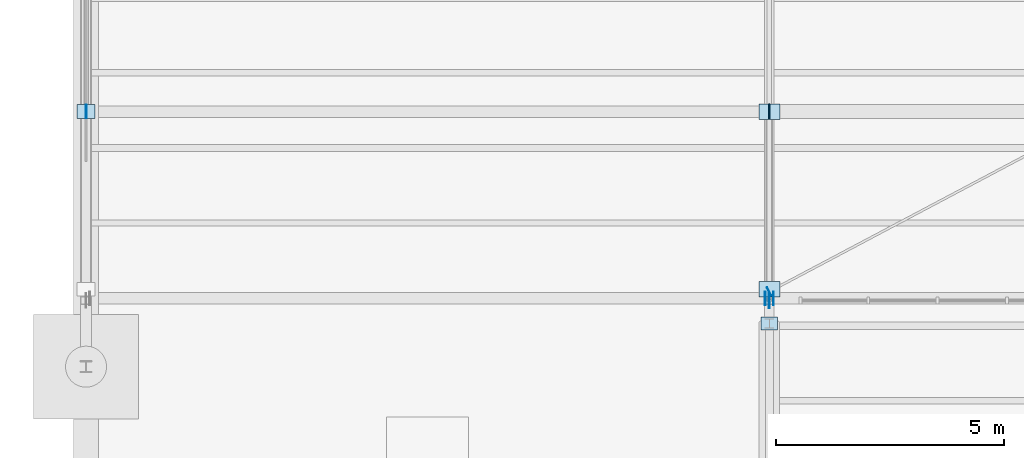
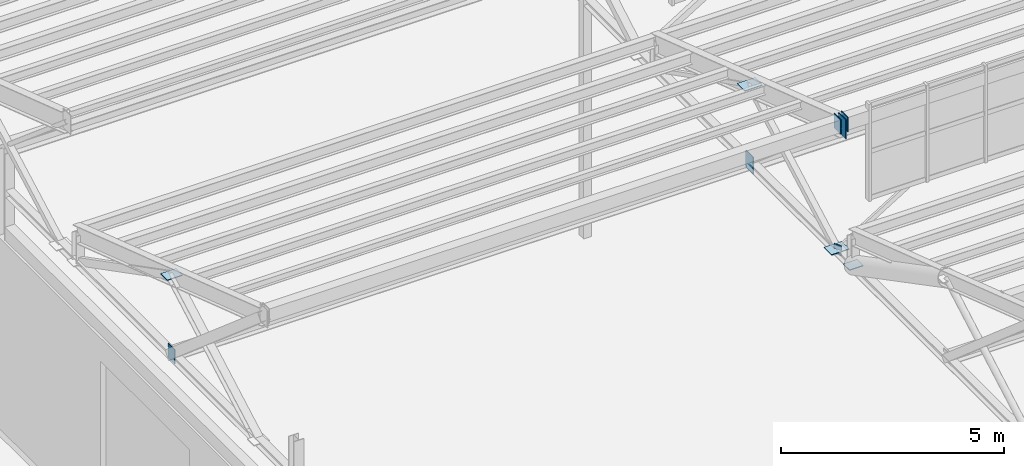
# One storey, part 194 of 285: 10 plates.
"""IFC4 building model written with IfcOpenShell, lengths in metres."""

from ifc_helpers import new_model, si_unit, direction, frame, origin, origin_2d, place, context, subcontext, project, spatial, rectangle, extrude, material, layer, layer_set, type_object, element, save


model = new_model("IFC4")

# Units and contexts
model_context = context("Model", 3, precision=1e-05, world=origin(), true_north=direction((0.0, 1.0)))
body_context = subcontext(model_context, "Body", "Model", "MODEL_VIEW")
ifc_project = project(units=[si_unit("LENGTHUNIT", "METRE"), si_unit("AREAUNIT", "SQUARE_METRE"), si_unit("VOLUMEUNIT", "CUBIC_METRE"), si_unit("PLANEANGLEUNIT", "RADIAN"), si_unit("MASSUNIT", "GRAM", prefix="KILO")], contexts=[model_context])

# Site, building, storey
site_placement = place(None, origin())
site = spatial("IfcSite", under=ifc_project, at=site_placement, CompositionType="ELEMENT")
building_placement = place(site_placement, origin())
building = spatial("IfcBuilding", under=site, at=building_placement, Name="Solanera Park Tramway Depot", CompositionType="ELEMENT")
storey_placement = place(building_placement, origin())
storey = spatial("IfcBuildingStorey", under=building, at=storey_placement, Name="L00", CompositionType="ELEMENT", Elevation=0.0)

# Plates
ifc_material_1 = material(Name="Steel AS/NZS 3679.1 Grade 350", Category="steel")
ifc_layer_1 = layer(ifc_material_1, 0.013916015625)
ifc_layer_set_1 = layer_set([ifc_layer_1], Name="Steel AS/NZS 3679.1 Grade 350")
plate_type_1 = type_object("IfcPlateType", Name="Hollow End Cap and Base Plate 280x200x14", PredefinedType="USERDEFINED", material=ifc_layer_set_1)
plate_1_placement = place(storey_placement, frame((14.999267578125, 73.648681640625, 6.35986328125), z_axis=(0.0, 0.0, 1.0), x_axis=(0.883520501477, 0.468392488698, 0.0)))
element("IfcPlate", 1, at=plate_1_placement, inside=storey, type_object=plate_type_1, Name="Hollow Section Welded End Cap Plate #0341", ObjectType="BASE PLATE", PredefinedType="USERDEFINED", context=body_context, shape_type="SweptSolid", body=[
    extrude(rectangle(XDim=0.013916015625, YDim=0.199951171875, at=origin_2d()), origin(), (0.0, 0.0, 1.0), 0.280029296875),
])
ifc_material_2 = material(Name="Steel AS/NZS 3679.1 Grade 350", Category="steel")
ifc_layer_2 = layer(ifc_material_2, 0.01806640625)
ifc_layer_set_2 = layer_set([ifc_layer_2], Name="Steel AS/NZS 3679.1 Grade 350")
plate_type_2 = type_object("IfcPlateType", Name="Hollow End Cap and Base Plate 360x280x18", PredefinedType="USERDEFINED", material=ifc_layer_set_2)
plate_2_placement = place(storey_placement, frame((15.0, 72.949951171875, 6.490966796875), z_axis=(0.0, 0.0, 1.0), x_axis=(1.0, 0.0, 0.0)))
element("IfcPlate", 2, at=plate_2_placement, inside=storey, type_object=plate_type_2, Name="Sawtooth Truss Node Cap Plate #0179", ObjectType="BASE PLATE", PredefinedType="USERDEFINED", context=body_context, shape_type="SweptSolid", body=[
    extrude(rectangle(XDim=0.360107421875, YDim=0.280029296875, at=origin_2d()), origin(), (0.0, 0.0, 1.0), 0.01806640625),
])
ifc_material_3 = material(Name="Steel AS/NZS 3679.1 Grade 350", Category="steel")
ifc_layer_3 = layer(ifc_material_3, 0.02001953125)
ifc_layer_set_3 = layer_set([ifc_layer_3], Name="Steel AS/NZS 3679.1 Grade 350")
plate_type_3 = type_object("IfcPlateType", Name="Hollow End Cap and Base Plate 400x300x20", PredefinedType="USERDEFINED", material=ifc_layer_set_3)
plate_3_placement = place(storey_placement, frame((0.0, 77.60009765625, 6.300048828125), z_axis=(0.0, 0.0, 1.0), x_axis=(1.0, 0.0, 0.0)))
element("IfcPlate", 3, at=plate_3_placement, inside=storey, type_object=plate_type_3, Name="Sawtooth Truss Hollow End Cap #0267", ObjectType="BASE PLATE", PredefinedType="USERDEFINED", context=body_context, shape_type="SweptSolid", body=[
    extrude(rectangle(XDim=0.02001953125, YDim=0.300048828125, at=origin_2d()), origin(), (0.0, 0.0, 1.0), 0.39990234375),
])
plate_4_placement = place(storey_placement, frame((0.0, 77.60009765625, 8.657470703125), z_axis=(0.0, 0.0, 1.0), x_axis=(1.0, 0.0, 0.0)))
element("IfcPlate", 4, at=plate_4_placement, inside=storey, type_object=plate_type_3, Name="Sawtooth Truss Node Cap Plate #0269", ObjectType="BASE PLATE", PredefinedType="USERDEFINED", context=body_context, shape_type="SweptSolid", body=[
    extrude(rectangle(XDim=0.39990234375, YDim=0.300048828125, at=origin_2d()), origin(), (0.0, 0.0, 1.0), 0.02001953125),
])
for number, where, z_axis, x_axis, name in (
    (5, (14.9091796875, 73.5, 9.873291015625), (0.0, 0.0, 1.0), (1.0, 0.0, 0.0), "Hollow Section Welded End Cap Plate #0322"),
    (6, (15.0908203125, 73.5, 9.873291015625), (0.0, 0.0, 1.0), (1.0, 0.0, 0.0), "Hollow Section Welded End Cap Plate #0323"),
):
    element("IfcPlate", number, at=place(storey_placement, frame(where, z_axis=z_axis, x_axis=x_axis)), inside=storey, type_object=plate_type_3, Name=name, ObjectType="BASE PLATE", PredefinedType="USERDEFINED", context=body_context, shape_type="SweptSolid", body=[
        extrude(rectangle(XDim=0.02001953125, YDim=0.300048828125, at=origin_2d()), origin(), (0.0, 0.0, 1.0), 0.39990234375),
    ])
ifc_material_4 = material(Name="Steel AS/NZS 3679.1 Grade 350", Category="steel")
ifc_layer_4 = layer(ifc_material_4, 0.02197265625)
ifc_layer_set_4 = layer_set([ifc_layer_4], Name="Steel AS/NZS 3679.1 Grade 350")
plate_type_4 = type_object("IfcPlateType", Name="Hollow End Cap and Base Plate 460x340x22", PredefinedType="USERDEFINED", material=ifc_layer_set_4)
plate_5_placement = place(storey_placement, frame((15.0, 77.60009765625, 6.27001953125), z_axis=(0.0, 0.0, 1.0), x_axis=(1.0, 0.0, 0.0)))
element("IfcPlate", 7, at=plate_5_placement, inside=storey, type_object=plate_type_4, Name="Sawtooth Truss Hollow End Cap #0272", ObjectType="BASE PLATE", PredefinedType="USERDEFINED", context=body_context, shape_type="SweptSolid", body=[
    extrude(rectangle(XDim=0.02197265625, YDim=0.340087890625, at=origin_2d()), origin(), (0.0, 0.0, 1.0), 0.4599609375),
])
for number, where, z_axis, x_axis, name in (
    (8, (15.0, 77.60009765625, 8.61865234375), (0.0, 0.0, 1.0), (1.0, 0.0, 0.0), "Sawtooth Truss Node Cap Plate #0274"),
    (9, (15.0, 73.699951171875, 6.489013671875), (0.0, 0.0, 1.0), (1.0, 0.0, 0.0), "Sawtooth Truss Node Cap Plate #0275"),
):
    element("IfcPlate", number, at=place(storey_placement, frame(where, z_axis=z_axis, x_axis=x_axis)), inside=storey, type_object=plate_type_4, Name=name, ObjectType="BASE PLATE", PredefinedType="USERDEFINED", context=body_context, shape_type="SweptSolid", body=[
        extrude(rectangle(XDim=0.4599609375, YDim=0.340087890625, at=origin_2d()), origin(), (0.0, 0.0, 1.0), 0.02197265625),
    ])
ifc_material_5 = material(Name="Steel AS/NZS 3679.1 Grade 350", Category="steel")
ifc_layer_5 = layer(ifc_material_5, 0.01806640625)
ifc_layer_set_5 = layer_set([ifc_layer_5], Name="Steel AS/NZS 3679.1 Grade 350")
plate_type_5 = type_object("IfcPlateType", Name="Truss Node Gusset Stiffener 520x340x18", PredefinedType="SHEET", material=ifc_layer_set_5)
plate_6_placement = place(storey_placement, frame((15.0, 73.449951171875, 9.75830078125), z_axis=(0.0, 0.0, 1.0), x_axis=(1.0, 0.0, 0.0)))
element("IfcPlate", 10, at=plate_6_placement, inside=storey, type_object=plate_type_5, Name="Sawtooth Truss Apex Gusset Plate #0271", PredefinedType="SHEET", context=body_context, shape_type="SweptSolid", body=[
    extrude(rectangle(XDim=0.01806640625, YDim=0.340087890625, at=origin_2d()), origin(), (0.0, 0.0, 1.0), 0.52001953125),
])

save(model, "model.ifc")
